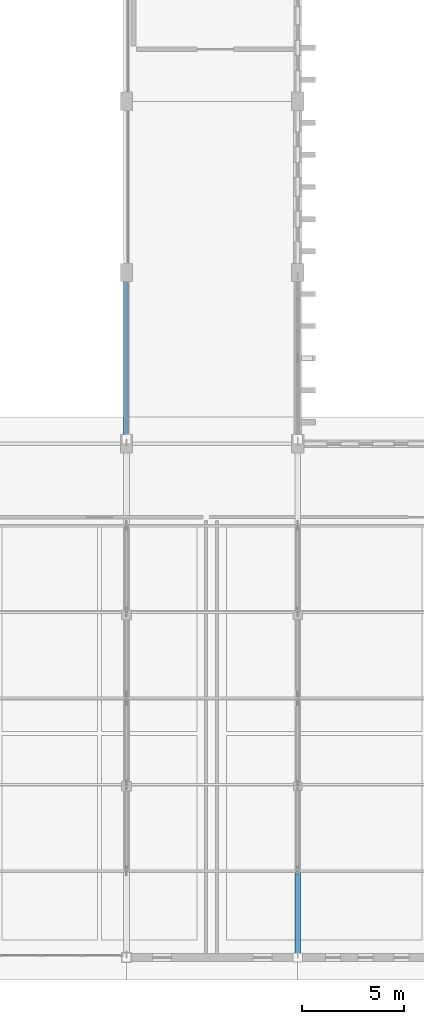
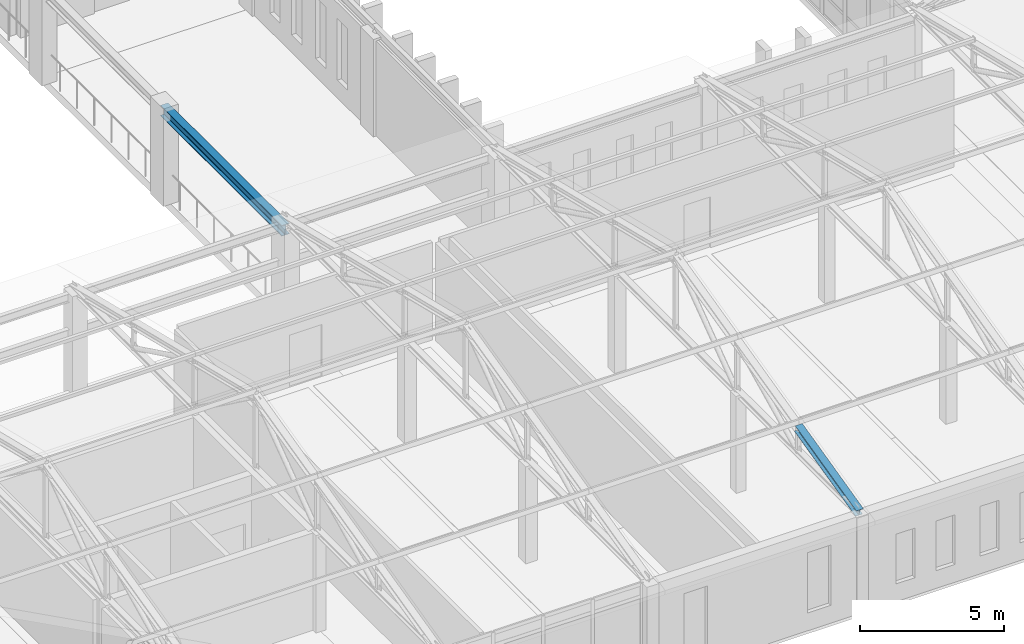
# One storey, part 26 of 192: 1 beam, 1 member.
"""IFC4 building model written with IfcOpenShell, lengths in metres."""

from ifc_helpers import new_model, si_unit, direction, frame, origin, origin_2d, place, context, subcontext, project, spatial, i_section, extrude, material, material_profile, profile_set, type_object, element, save


model = new_model("IFC4")

# Units and contexts
model_context = context("Model", 3, precision=1e-05, world=origin(), true_north=direction((0.0, 1.0)))
body_context = subcontext(model_context, "Body", "Model", "MODEL_VIEW")
ifc_project = project(units=[si_unit("LENGTHUNIT", "METRE"), si_unit("AREAUNIT", "SQUARE_METRE"), si_unit("VOLUMEUNIT", "CUBIC_METRE"), si_unit("PLANEANGLEUNIT", "RADIAN"), si_unit("MASSUNIT", "GRAM", prefix="KILO")], contexts=[model_context])

# Site, building, storey
site_placement = place(None, origin())
site = spatial("IfcSite", under=ifc_project, at=site_placement, CompositionType="ELEMENT")
building_placement = place(site_placement, origin())
building = spatial("IfcBuilding", under=site, at=building_placement, Name="Kveldsbrygga Polytechnic", CompositionType="ELEMENT")
storey_placement = place(building_placement, frame((0.0, 0.0, 5.43994140625)))
storey = spatial("IfcBuildingStorey", under=building, at=storey_placement, Name="L01", CompositionType="ELEMENT", Elevation=5.43994140625)

# Beam
ifc_material = material(Name="Steel S355", Category="steel")
ifc_material_profile_1 = material_profile(ifc_material, i_section(OverallWidth=0.300048828125, OverallDepth=0.449951171875, WebThickness=0.013916015625, FlangeThickness=0.02587890625, FilletRadius=0.027099609375, at=origin_2d()), Name="HEB 450")
ifc_profile_set_1 = profile_set([ifc_material_profile_1], Name="Steel S355")
beam_type = type_object("IfcBeamType", Name="BM-CRANE-HEB450", PredefinedType="BEAM", material=ifc_profile_set_1)
beam_placement = place(storey_placement, frame((25.199951171875, 25.199951171875, 3.735107421875), z_axis=(0.0, 1.0, 0.0), x_axis=(-1.0, 0.0, 0.0)))
element("IfcBeam", 1, at=beam_placement, inside=storey, type_object=beam_type, Name="Crane Runway Girder CRG-E-03", PredefinedType="BEAM", context=body_context, shape_type="SweptSolid", body=[
    extrude(i_section(OverallWidth=0.300048828125, OverallDepth=0.449951171875, WebThickness=0.013916015625, FlangeThickness=0.02587890625, FilletRadius=0.027099609375, at=origin_2d()), origin(), (0.0, 0.0, 1.0), 8.400146484375),
])

# Member
ifc_material_profile_2 = material_profile(ifc_material, i_section(OverallWidth=0.280029296875, OverallDepth=0.280029296875, WebThickness=0.010498046875, FlangeThickness=0.01806640625, FilletRadius=0.02392578125, at=origin_2d()), Name="HEB 280")
ifc_profile_set_2 = profile_set([ifc_material_profile_2], Name="Steel S355")
member_type = type_object("IfcMemberType", Name="TR-TOP-HEB280", PredefinedType="CHORD", material=ifc_profile_set_2)
member_placement = place(storey_placement, frame((33.60009765625, 0.0, 4.1201171875), z_axis=(0.0, 0.971525996838, 0.236932980961), x_axis=(-1.0, 0.0, 0.0)))
element("IfcMember", 2, at=member_placement, inside=storey, type_object=member_type, Name="Truss Top Chord V5S-T05-TC-1", PredefinedType="CHORD", context=body_context, shape_type="SweptSolid", body=[
    extrude(i_section(OverallWidth=0.280029296875, OverallDepth=0.280029296875, WebThickness=0.010498046875, FlangeThickness=0.01806640625, FilletRadius=0.02392578125, at=origin_2d()), origin(), (0.0, 0.0, 1.0), 4.36083984375),
])

save(model, "model.ifc")
